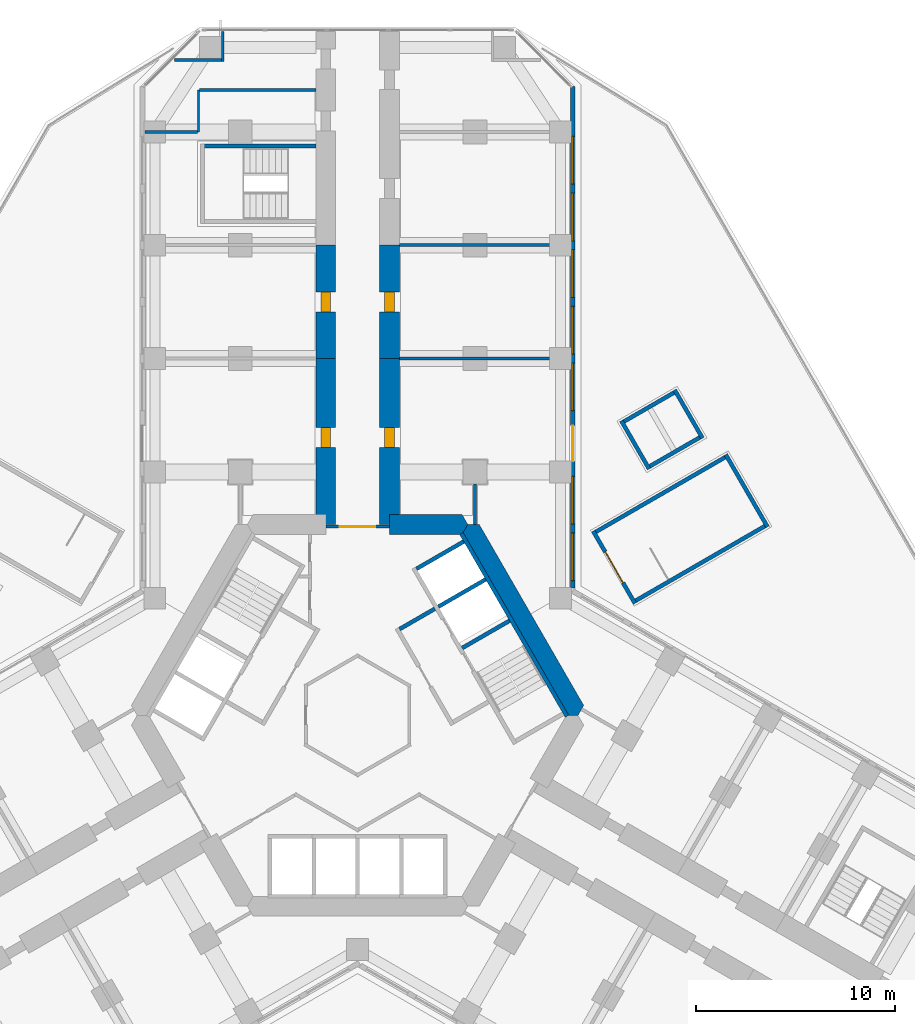
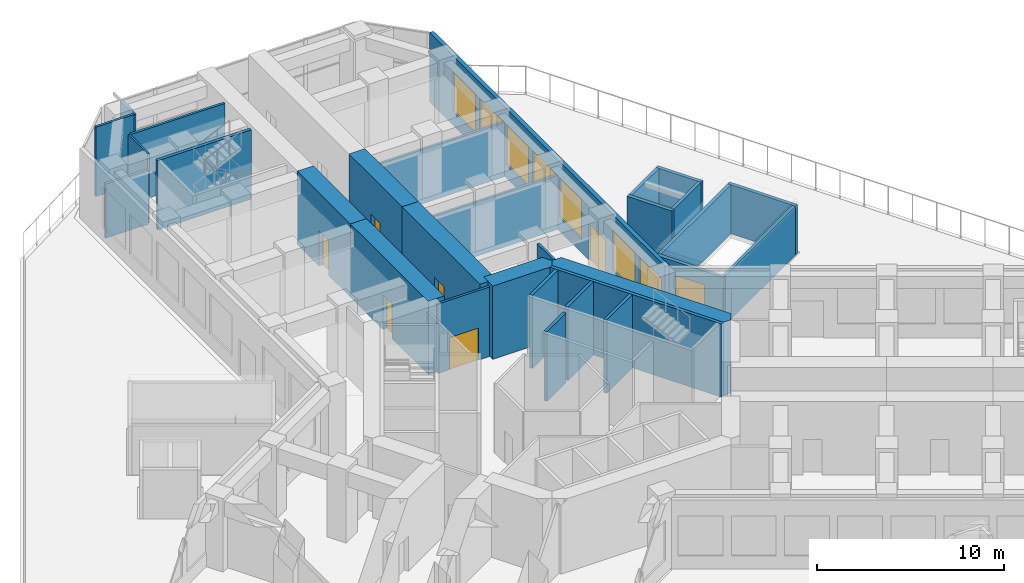
# One storey, part 14 of 18: 30 walls, 7 doors, 7 windows, 14 openings.
"""IFC4 building model written with IfcOpenShell, lengths in metres."""

from ifc_helpers import new_model, si_unit, direction, frame, frame_2d, origin, place, context, subcontext, project, spatial, polyline, rectangle, outline, extrude, material, layer, layer_set, type_object, element, fill, save


model = new_model("IFC4")

# Units and contexts
model_context = context("Model", 3, precision=1e-05, world=origin(), true_north=direction((0.0, 1.0)))
body_context = subcontext(model_context, "Body", "Model", "MODEL_VIEW")
ifc_project = project(units=[si_unit("LENGTHUNIT", "METRE"), si_unit("AREAUNIT", "SQUARE_METRE"), si_unit("VOLUMEUNIT", "CUBIC_METRE"), si_unit("PLANEANGLEUNIT", "RADIAN"), si_unit("MASSUNIT", "GRAM", prefix="KILO")], contexts=[model_context])

# Site, building, storey
site_placement = place(None, origin())
site = spatial("IfcSite", under=ifc_project, at=site_placement, CompositionType="ELEMENT")
building_placement = place(site_placement, origin())
building = spatial("IfcBuilding", under=site, at=building_placement, Name="Kosmar Iwan School Tower", CompositionType="ELEMENT")
storey_placement = place(building_placement, frame((0.0, 0.0, 20.39990234375)))
storey = spatial("IfcBuildingStorey", under=building, at=storey_placement, Name="L04", CompositionType="ELEMENT", Elevation=20.39990234375)

# Walls
ifc_material_1 = material(Name="Concrete C50/60", Category="concrete")
ifc_layer_1 = layer(ifc_material_1, 1.0)
ifc_layer_set_1 = layer_set([ifc_layer_1], Name="Core wall 1000")
wall_type_1 = type_object("IfcWallType", Name="Core wall 1000", PredefinedType="SHEAR", material=ifc_layer_set_1)
wall_1_placement = place(storey_placement, origin())
element("IfcWall", 1, at=wall_1_placement, inside=storey, type_object=wall_type_1, Name="Core wall F030", PredefinedType="SHEAR", context=body_context, shape_type="SweptSolid", body=[
    extrude(outline(polyline([(10.5078125, 0.0), (11.085205078125, 0.0), (11.373779296875, 0.5), (6.119873046875, 9.60009765625), (5.54248046875, 9.60009765625), (5.25390625, 9.10009765625), (10.5078125, 0.0)])), origin(), (0.0, 0.0, 1.0), 4.800048828125),
])
wall_2_placement = place(storey_placement, origin())
element("IfcWall", 2, at=wall_2_placement, inside=storey, type_object=wall_type_1, Name="Core wall F090a", PredefinedType="SHEAR", context=body_context, shape_type="SweptSolid", body=[
    extrude(outline(polyline([(1.60009765625, 9.10009765625), (5.25390625, 9.10009765625), (5.54248046875, 9.60009765625), (5.25390625, 10.10009765625), (1.60009765625, 10.10009765625), (1.60009765625, 9.10009765625)])), origin(), (0.0, 0.0, 1.0), 4.800048828125),
])

# Wall, opening, door
ifc_material_2 = material(Name="Concrete C50/60", Category="concrete")
ifc_layer_2 = layer(ifc_material_2, 1.0)
ifc_layer_set_2 = layer_set([ifc_layer_2], Name="Corridor buttress wall 1000")
wall_type_2 = type_object("IfcWallType", Name="Corridor buttress wall 1000", PredefinedType="SHEAR", material=ifc_layer_set_2)
wall_3_placement = place(storey_placement, frame((-1.60009765625, 9.60009765625, 0.0), z_axis=(0.0, 0.0, 1.0), x_axis=(0.0, 1.0, 0.0)))
wall_3 = element("IfcWall", 3, at=wall_3_placement, inside=storey, type_object=wall_type_2, Name="Corridor wall AL", PredefinedType="SHEAR", context=body_context, shape_type="SweptSolid", body=[
    extrude(rectangle(XDim=8.349853515625, YDim=1.0, at=frame_2d((4.1748046875, 0.0))), origin(), (0.0, 0.0, 1.0), 4.800048828125),
])
opening_1_placement = place(wall_3_placement, frame((3.875, 0.0, 0.0)))
opening_1 = element("IfcOpeningElement", 4, at=opening_1_placement, cuts=wall_3, Name="Opening D4", PredefinedType="OPENING", context=body_context, shape_type="SweptSolid", body=[
    extrude(rectangle(XDim=1.0, YDim=2.300048828125, at=frame_2d((0.5, 1.14990234375))), frame((0.0, 0.511962890625, 0.0), z_axis=(0.0, -1.0, 0.0), x_axis=(1.0, 0.0, 0.0)), (0.0, 0.0, 1.0), 1.02392578125),
])
ifc_material_3 = material(Name="Timber fire door with vision panel", Category="wood")
door_type_1 = type_object("IfcDoorType", Name="Classroom door 1000x2300", OperationType="SINGLE_SWING_LEFT", PredefinedType="DOOR", material=ifc_material_3)
door_1_placement = place(opening_1_placement, origin())
door_1 = element("IfcDoor", 5, at=door_1_placement, inside=storey, type_object=door_type_1, Name="Physics laboratory AL door L04-AL1", OperationType="SINGLE_SWING_RIGHT", OverallHeight=2.300048828125, OverallWidth=1.0, PredefinedType="DOOR", context=body_context, shape_type="SweptSolid", body=[
    extrude(rectangle(XDim=1.0, YDim=2.300048828125, at=frame_2d((0.5, 1.14990234375))), frame((0.0, 0.25, 0.0), z_axis=(0.0, -1.0, 0.0), x_axis=(1.0, 0.0, 0.0)), (0.0, 0.0, 1.0), 0.5),
])
fill(opening_1, door_1)

wall_4_placement = place(storey_placement, frame((-1.60009765625, 17.949951171875, 0.0), z_axis=(0.0, 0.0, 1.0), x_axis=(0.0, 1.0, 0.0)))
wall_4 = element("IfcWall", 6, at=wall_4_placement, inside=storey, type_object=wall_type_2, Name="Corridor wall AL bay 2", PredefinedType="SHEAR", context=body_context, shape_type="SweptSolid", body=[
    extrude(rectangle(XDim=5.699951171875, YDim=1.0, at=frame_2d((2.85009765625, 0.0))), origin(), (0.0, 0.0, 1.0), 4.800048828125),
])
opening_2_placement = place(wall_4_placement, frame((2.35009765625, 0.0, 0.0)))
opening_2 = element("IfcOpeningElement", 7, at=opening_2_placement, cuts=wall_4, Name="Opening D4", PredefinedType="OPENING", context=body_context, shape_type="SweptSolid", body=[
    extrude(rectangle(XDim=1.0, YDim=2.300048828125, at=frame_2d((0.5, 1.14990234375))), frame((0.0, 0.511962890625, 0.0), z_axis=(0.0, -1.0, 0.0), x_axis=(1.0, 0.0, 0.0)), (0.0, 0.0, 1.0), 1.02392578125),
])
door_2_placement = place(opening_2_placement, origin())
door_2 = element("IfcDoor", 8, at=door_2_placement, inside=storey, type_object=door_type_1, Name="Chemistry laboratory AL door L04-AL2", OperationType="SINGLE_SWING_LEFT", OverallHeight=2.300048828125, OverallWidth=1.0, PredefinedType="DOOR", context=body_context, shape_type="SweptSolid", body=[
    extrude(rectangle(XDim=1.0, YDim=2.300048828125, at=frame_2d((0.5, 1.14990234375))), frame((0.0, 0.25, 0.0), z_axis=(0.0, -1.0, 0.0), x_axis=(1.0, 0.0, 0.0)), (0.0, 0.0, 1.0), 0.5),
])
fill(opening_2, door_2)

wall_5_placement = place(storey_placement, frame((1.60009765625, 9.60009765625, 0.0), z_axis=(0.0, 0.0, 1.0), x_axis=(0.0, 1.0, 0.0)))
wall_5 = element("IfcWall", 9, at=wall_5_placement, inside=storey, type_object=wall_type_2, Name="Corridor wall AR", PredefinedType="SHEAR", context=body_context, shape_type="SweptSolid", body=[
    extrude(rectangle(XDim=8.349853515625, YDim=1.0, at=frame_2d((4.1748046875, 0.0))), origin(), (0.0, 0.0, 1.0), 4.800048828125),
])
opening_3_placement = place(wall_5_placement, frame((3.875, 0.0, 0.0)))
opening_3 = element("IfcOpeningElement", 10, at=opening_3_placement, cuts=wall_5, Name="Opening D4", PredefinedType="OPENING", context=body_context, shape_type="SweptSolid", body=[
    extrude(rectangle(XDim=1.0, YDim=2.300048828125, at=frame_2d((0.5, 1.14990234375))), frame((0.0, 0.511962890625, 0.0), z_axis=(0.0, -1.0, 0.0), x_axis=(1.0, 0.0, 0.0)), (0.0, 0.0, 1.0), 1.02392578125),
])
door_3_placement = place(opening_3_placement, origin())
door_3 = element("IfcDoor", 11, at=door_3_placement, inside=storey, type_object=door_type_1, Name="Physics laboratory AR door L04-AR1", OperationType="SINGLE_SWING_RIGHT", OverallHeight=2.300048828125, OverallWidth=1.0, PredefinedType="DOOR", context=body_context, shape_type="SweptSolid", body=[
    extrude(rectangle(XDim=1.0, YDim=2.300048828125, at=frame_2d((0.5, 1.14990234375))), frame((0.0, 0.25, 0.0), z_axis=(0.0, -1.0, 0.0), x_axis=(1.0, 0.0, 0.0)), (0.0, 0.0, 1.0), 0.5),
])
fill(opening_3, door_3)

wall_6_placement = place(storey_placement, frame((1.60009765625, 17.949951171875, 0.0), z_axis=(0.0, 0.0, 1.0), x_axis=(0.0, 1.0, 0.0)))
wall_6 = element("IfcWall", 12, at=wall_6_placement, inside=storey, type_object=wall_type_2, Name="Corridor wall AR bay 2", PredefinedType="SHEAR", context=body_context, shape_type="SweptSolid", body=[
    extrude(rectangle(XDim=5.699951171875, YDim=1.0, at=frame_2d((2.85009765625, 0.0))), origin(), (0.0, 0.0, 1.0), 4.800048828125),
])
opening_4_placement = place(wall_6_placement, frame((2.35009765625, 0.0, 0.0)))
opening_4 = element("IfcOpeningElement", 13, at=opening_4_placement, cuts=wall_6, Name="Opening D4", PredefinedType="OPENING", context=body_context, shape_type="SweptSolid", body=[
    extrude(rectangle(XDim=1.0, YDim=2.300048828125, at=frame_2d((0.5, 1.14990234375))), frame((0.0, 0.511962890625, 0.0), z_axis=(0.0, -1.0, 0.0), x_axis=(1.0, 0.0, 0.0)), (0.0, 0.0, 1.0), 1.02392578125),
])
door_4_placement = place(opening_4_placement, origin())
door_4 = element("IfcDoor", 14, at=door_4_placement, inside=storey, type_object=door_type_1, Name="Chemistry laboratory AR door L04-AR2", OperationType="SINGLE_SWING_RIGHT", OverallHeight=2.300048828125, OverallWidth=1.0, PredefinedType="DOOR", context=body_context, shape_type="SweptSolid", body=[
    extrude(rectangle(XDim=1.0, YDim=2.300048828125, at=frame_2d((0.5, 1.14990234375))), frame((0.0, 0.25, 0.0), z_axis=(0.0, -1.0, 0.0), x_axis=(1.0, 0.0, 0.0)), (0.0, 0.0, 1.0), 0.5),
])
fill(opening_4, door_4)

ifc_material_4 = material(Name="Steel framed glazed screen", Category="steel")
ifc_layer_3 = layer(ifc_material_4, 0.14990234375)
ifc_layer_set_3 = layer_set([ifc_layer_3], Name="Corridor screen wall 150")
wall_type_3 = type_object("IfcWallType", Name="Corridor screen wall 150", PredefinedType="PARTITIONING", material=ifc_layer_set_3)
wall_7_placement = place(storey_placement, frame((1.60009765625, 9.5, 0.0), z_axis=(0.0, 0.0, 1.0), x_axis=(-1.0, 0.0, 0.0)))
wall_7 = element("IfcWall", 15, at=wall_7_placement, inside=storey, type_object=wall_type_3, Name="Corridor screen A L04", PredefinedType="PARTITIONING", context=body_context, shape_type="SweptSolid", body=[
    extrude(rectangle(XDim=3.2001953125, YDim=0.14990234375, at=frame_2d((1.60009765625, 0.0))), origin(), (0.0, 0.0, 1.0), 4.550048828125),
])
opening_5_placement = place(wall_7_placement, frame((0.699951171875, 0.0, 0.0)))
opening_5 = element("IfcOpeningElement", 16, at=opening_5_placement, cuts=wall_7, Name="Opening D9", PredefinedType="OPENING", context=body_context, shape_type="SweptSolid", body=[
    extrude(rectangle(XDim=1.800048828125, YDim=2.10009765625, at=frame_2d((0.89990234375, 1.050048828125))), frame((0.0, 0.0869140625, 0.0), z_axis=(0.0, -1.0, 0.0), x_axis=(1.0, 0.0, 0.0)), (0.0, 0.0, 1.0), 0.173828125),
])
ifc_material_5 = material(Name="Steel framed glazed smoke door", Category="steel")
door_type_2 = type_object("IfcDoorType", Name="Corridor smoke door pair 1800x2100", OperationType="DOUBLE_DOOR_DOUBLE_SWING", PredefinedType="DOOR", material=ifc_material_5)
door_5_placement = place(opening_5_placement, origin())
door_5 = element("IfcDoor", 17, at=door_5_placement, inside=storey, type_object=door_type_2, Name="Corridor doors A L04", OperationType="DOUBLE_DOOR_DOUBLE_SWING", OverallHeight=2.10009765625, OverallWidth=1.800048828125, PredefinedType="DOOR", context=body_context, shape_type="SweptSolid", body=[
    extrude(rectangle(XDim=1.800048828125, YDim=2.10009765625, at=frame_2d((0.89990234375, 1.050048828125))), frame((0.0, 0.02490234375, 0.0), z_axis=(0.0, -1.0, 0.0), x_axis=(1.0, 0.0, 0.0)), (0.0, 0.0, 1.0), 0.050048828125),
])
fill(opening_5, door_5)

# Walls
ifc_material_6 = material(Name="Gypsum board on steel studs", Category="steel")
ifc_layer_4 = layer(ifc_material_6, 0.1201171875)
ifc_layer_set_4 = layer_set([ifc_layer_4], Name="Dwelling partition 120")
wall_type_4 = type_object("IfcWallType", Name="Dwelling partition 120", PredefinedType="PARTITIONING", material=ifc_layer_set_4)
wall_8_placement = place(storey_placement, frame((-6.7900390625, 32.89990234375, 0.0), z_axis=(0.0, 0.0, 1.0), x_axis=(0.0, 1.0, 0.0)))
element("IfcWall", 18, at=wall_8_placement, inside=storey, type_object=wall_type_4, Name="Partition L04-AL-DL", PredefinedType="PARTITIONING", context=body_context, shape_type="SweptSolid", body=[
    extrude(rectangle(XDim=1.4951171875, YDim=0.1201171875, at=frame_2d((0.74755859375, 0.0))), origin(), (0.0, 0.0, 1.0), 4.550048828125),
])
wall_9_placement = place(storey_placement, frame((-8.0, 29.35009765625, 0.0), z_axis=(0.0, 0.0, 1.0), x_axis=(0.0, 1.0, 0.0)))
element("IfcWall", 19, at=wall_9_placement, inside=storey, type_object=wall_type_4, Name="Partition L04-AL-X3L", PredefinedType="PARTITIONING", context=body_context, shape_type="SweptSolid", body=[
    extrude(rectangle(XDim=2.099853515625, YDim=0.1201171875, at=frame_2d((1.0498046875, 0.0))), origin(), (0.0, 0.0, 1.0), 4.550048828125),
])
ifc_material_7 = material(Name="Concrete C35/45", Category="concrete")
ifc_layer_5 = layer(ifc_material_7, 0.199951171875)
ifc_layer_set_5 = layer_set([ifc_layer_5], Name="Escape stair wall 200")
wall_type_5 = type_object("IfcWallType", Name="Escape stair wall 200", PredefinedType="SHEAR", material=ifc_layer_set_5)
wall_10_placement = place(storey_placement, frame((-2.10009765625, 28.64990234375, 0.0), z_axis=(0.0, 0.0, 1.0), x_axis=(-1.0, 0.0, 0.0)))
element("IfcWall", 20, at=wall_10_placement, inside=storey, type_object=wall_type_5, Name="Stair WS1 wall", PredefinedType="SHEAR", context=body_context, shape_type="SweptSolid", body=[
    extrude(rectangle(XDim=5.7998046875, YDim=0.199951171875, at=frame_2d((2.89990234375, 0.0))), origin(), (0.0, 0.0, 1.0), 4.530029296875),
])

# Wall, openings, door, windows
ifc_material_8 = material(Name="Black aluminium rainscreen on insulated framing", Category="aluminium")
ifc_layer_6 = layer(ifc_material_8, 0.25)
ifc_layer_set_6 = layer_set([ifc_layer_6], Name="External wall rainscreen 250")
wall_type_6 = type_object("IfcWallType", Name="External wall rainscreen 250", PredefinedType="SOLIDWALL", material=ifc_layer_set_6)
wall_11_placement = place(storey_placement, frame((10.824951171875, 6.408935546875, 0.0), z_axis=(0.0, 0.0, 1.0), x_axis=(0.0, 1.0, 0.0)))
wall_11 = element("IfcWall", 21, at=wall_11_placement, inside=storey, type_object=wall_type_6, Name="External wall AR L04", PredefinedType="SOLIDWALL", context=body_context, shape_type="SweptSolid", body=[
    extrude(rectangle(XDim=25.226318359375, YDim=0.25, at=frame_2d((12.61328125, 0.0))), origin(), (0.0, 0.0, 1.0), 4.550048828125),
])
opening_6_placement = place(wall_11_placement, frame((0.365966796875, 0.0, 0.89990234375)))
opening_6 = element("IfcOpeningElement", 22, at=opening_6_placement, cuts=wall_11, Name="Opening W2", PredefinedType="OPENING", context=body_context, shape_type="SweptSolid", body=[
    extrude(rectangle(XDim=2.39990234375, YDim=2.60009765625, at=frame_2d((1.199951171875, 1.300048828125))), frame((0.0, 0.136962890625, 0.0), z_axis=(0.0, -1.0, 0.0), x_axis=(1.0, 0.0, 0.0)), (0.0, 0.0, 1.0), 0.27392578125),
])
opening_7_placement = place(wall_11_placement, frame((3.216064453125, 0.0, 0.89990234375)))
opening_7 = element("IfcOpeningElement", 23, at=opening_7_placement, cuts=wall_11, Name="Opening W2", PredefinedType="OPENING", context=body_context, shape_type="SweptSolid", body=[
    extrude(rectangle(XDim=2.39990234375, YDim=2.60009765625, at=frame_2d((1.199951171875, 1.300048828125))), frame((0.0, 0.136962890625, 0.0), z_axis=(0.0, -1.0, 0.0), x_axis=(1.0, 0.0, 0.0)), (0.0, 0.0, 1.0), 0.27392578125),
])
opening_8_placement = place(wall_11_placement, frame((6.365966796875, 0.0, 0.0)))
opening_8 = element("IfcOpeningElement", 24, at=opening_8_placement, cuts=wall_11, Name="Opening D12", PredefinedType="OPENING", context=body_context, shape_type="SweptSolid", body=[
    extrude(rectangle(XDim=1.800048828125, YDim=2.39990234375, at=frame_2d((0.89990234375, 1.199951171875))), frame((0.0, 0.136962890625, 0.0), z_axis=(0.0, -1.0, 0.0), x_axis=(1.0, 0.0, 0.0)), (0.0, 0.0, 1.0), 0.27392578125),
])
opening_9_placement = place(wall_11_placement, frame((8.916015625, 0.0, 0.89990234375)))
opening_9 = element("IfcOpeningElement", 25, at=opening_9_placement, cuts=wall_11, Name="Opening W2", PredefinedType="OPENING", context=body_context, shape_type="SweptSolid", body=[
    extrude(rectangle(XDim=2.39990234375, YDim=2.60009765625, at=frame_2d((1.199951171875, 1.300048828125))), frame((0.0, 0.136962890625, 0.0), z_axis=(0.0, -1.0, 0.0), x_axis=(1.0, 0.0, 0.0)), (0.0, 0.0, 1.0), 0.27392578125),
])
opening_10_placement = place(wall_11_placement, frame((11.76611328125, 0.0, 0.89990234375)))
opening_10 = element("IfcOpeningElement", 26, at=opening_10_placement, cuts=wall_11, Name="Opening W2", PredefinedType="OPENING", context=body_context, shape_type="SweptSolid", body=[
    extrude(rectangle(XDim=2.39990234375, YDim=2.60009765625, at=frame_2d((1.199951171875, 1.300048828125))), frame((0.0, 0.136962890625, 0.0), z_axis=(0.0, -1.0, 0.0), x_axis=(1.0, 0.0, 0.0)), (0.0, 0.0, 1.0), 0.27392578125),
])
opening_11_placement = place(wall_11_placement, frame((14.615966796875, 0.0, 0.89990234375)))
opening_11 = element("IfcOpeningElement", 27, at=opening_11_placement, cuts=wall_11, Name="Opening W2", PredefinedType="OPENING", context=body_context, shape_type="SweptSolid", body=[
    extrude(rectangle(XDim=2.39990234375, YDim=2.60009765625, at=frame_2d((1.199951171875, 1.300048828125))), frame((0.0, 0.136962890625, 0.0), z_axis=(0.0, -1.0, 0.0), x_axis=(1.0, 0.0, 0.0)), (0.0, 0.0, 1.0), 0.27392578125),
])
opening_12_placement = place(wall_11_placement, frame((17.466064453125, 0.0, 0.89990234375)))
opening_12 = element("IfcOpeningElement", 28, at=opening_12_placement, cuts=wall_11, Name="Opening W2", PredefinedType="OPENING", context=body_context, shape_type="SweptSolid", body=[
    extrude(rectangle(XDim=2.39990234375, YDim=2.60009765625, at=frame_2d((1.199951171875, 1.300048828125))), frame((0.0, 0.136962890625, 0.0), z_axis=(0.0, -1.0, 0.0), x_axis=(1.0, 0.0, 0.0)), (0.0, 0.0, 1.0), 0.27392578125),
])
opening_13_placement = place(wall_11_placement, frame((20.31591796875, 0.0, 0.89990234375)))
opening_13 = element("IfcOpeningElement", 29, at=opening_13_placement, cuts=wall_11, Name="Opening W2", PredefinedType="OPENING", context=body_context, shape_type="SweptSolid", body=[
    extrude(rectangle(XDim=2.39990234375, YDim=2.60009765625, at=frame_2d((1.199951171875, 1.300048828125))), frame((0.0, 0.136962890625, 0.0), z_axis=(0.0, -1.0, 0.0), x_axis=(1.0, 0.0, 0.0)), (0.0, 0.0, 1.0), 0.27392578125),
])
ifc_material_9 = material(Name="Black steel framed glazed door", Category="steel")
door_type_3 = type_object("IfcDoorType", Name="Deck door pair 1800x2400", OperationType="DOUBLE_DOOR_SINGLE_SWING", PredefinedType="DOOR", material=ifc_material_9)
door_6_placement = place(opening_8_placement, frame((1.800048828125, 0.0, 0.0), z_axis=(0.0, 0.0, 1.0), x_axis=(-1.0, 0.0, 0.0)))
door_6 = element("IfcDoor", 30, at=door_6_placement, inside=storey, type_object=door_type_3, Name="Play deck door AR", OperationType="DOUBLE_DOOR_SINGLE_SWING", OverallHeight=2.39990234375, OverallWidth=1.800048828125, PredefinedType="DOOR", context=body_context, shape_type="SweptSolid", body=[
    extrude(rectangle(XDim=1.800048828125, YDim=2.39990234375, at=frame_2d((0.89990234375, 1.199951171875))), frame((0.0, 0.02490234375, 0.0), z_axis=(0.0, -1.0, 0.0), x_axis=(1.0, 0.0, 0.0)), (0.0, 0.0, 1.0), 0.050048828125),
])
fill(opening_8, door_6)
ifc_material_10 = material(Name="Black aluminium frame with dark triple glazing", Category="aluminium")
window_type = type_object("IfcWindowType", Name="Window 2400x2600", PartitioningType="SINGLE_PANEL", PredefinedType="WINDOW", material=ifc_material_10)
window_1_placement = place(opening_6_placement, origin())
window_1 = element("IfcWindow", 31, at=window_1_placement, inside=storey, type_object=window_type, Name="Window AR L04 -1", OverallHeight=2.60009765625, OverallWidth=2.39990234375, PartitioningType="SINGLE_PANEL", PredefinedType="WINDOW", context=body_context, shape_type="SweptSolid", body=[
    extrude(rectangle(XDim=2.39990234375, YDim=2.60009765625, at=frame_2d((1.199951171875, 1.300048828125))), frame((0.0, 0.030029296875, 0.0), z_axis=(0.0, -1.0, 0.0), x_axis=(1.0, 0.0, 0.0)), (0.0, 0.0, 1.0), 0.06005859375),
])
fill(opening_6, window_1)
window_2_placement = place(opening_7_placement, origin())
window_2 = element("IfcWindow", 32, at=window_2_placement, inside=storey, type_object=window_type, Name="Window AR L04 0", OverallHeight=2.60009765625, OverallWidth=2.39990234375, PartitioningType="SINGLE_PANEL", PredefinedType="WINDOW", context=body_context, shape_type="SweptSolid", body=[
    extrude(rectangle(XDim=2.39990234375, YDim=2.60009765625, at=frame_2d((1.199951171875, 1.300048828125))), frame((0.0, 0.030029296875, 0.0), z_axis=(0.0, -1.0, 0.0), x_axis=(1.0, 0.0, 0.0)), (0.0, 0.0, 1.0), 0.06005859375),
])
fill(opening_7, window_2)
window_3_placement = place(opening_9_placement, origin())
window_3 = element("IfcWindow", 33, at=window_3_placement, inside=storey, type_object=window_type, Name="Window AR L04 2", OverallHeight=2.60009765625, OverallWidth=2.39990234375, PartitioningType="SINGLE_PANEL", PredefinedType="WINDOW", context=body_context, shape_type="SweptSolid", body=[
    extrude(rectangle(XDim=2.39990234375, YDim=2.60009765625, at=frame_2d((1.199951171875, 1.300048828125))), frame((0.0, 0.030029296875, 0.0), z_axis=(0.0, -1.0, 0.0), x_axis=(1.0, 0.0, 0.0)), (0.0, 0.0, 1.0), 0.06005859375),
])
fill(opening_9, window_3)
window_4_placement = place(opening_10_placement, origin())
window_4 = element("IfcWindow", 34, at=window_4_placement, inside=storey, type_object=window_type, Name="Window AR L04 3", OverallHeight=2.60009765625, OverallWidth=2.39990234375, PartitioningType="SINGLE_PANEL", PredefinedType="WINDOW", context=body_context, shape_type="SweptSolid", body=[
    extrude(rectangle(XDim=2.39990234375, YDim=2.60009765625, at=frame_2d((1.199951171875, 1.300048828125))), frame((0.0, 0.030029296875, 0.0), z_axis=(0.0, -1.0, 0.0), x_axis=(1.0, 0.0, 0.0)), (0.0, 0.0, 1.0), 0.06005859375),
])
fill(opening_10, window_4)
window_5_placement = place(opening_11_placement, origin())
window_5 = element("IfcWindow", 35, at=window_5_placement, inside=storey, type_object=window_type, Name="Window AR L04 4", OverallHeight=2.60009765625, OverallWidth=2.39990234375, PartitioningType="SINGLE_PANEL", PredefinedType="WINDOW", context=body_context, shape_type="SweptSolid", body=[
    extrude(rectangle(XDim=2.39990234375, YDim=2.60009765625, at=frame_2d((1.199951171875, 1.300048828125))), frame((0.0, 0.030029296875, 0.0), z_axis=(0.0, -1.0, 0.0), x_axis=(1.0, 0.0, 0.0)), (0.0, 0.0, 1.0), 0.06005859375),
])
fill(opening_11, window_5)
window_6_placement = place(opening_12_placement, origin())
window_6 = element("IfcWindow", 36, at=window_6_placement, inside=storey, type_object=window_type, Name="Window AR L04 5", OverallHeight=2.60009765625, OverallWidth=2.39990234375, PartitioningType="SINGLE_PANEL", PredefinedType="WINDOW", context=body_context, shape_type="SweptSolid", body=[
    extrude(rectangle(XDim=2.39990234375, YDim=2.60009765625, at=frame_2d((1.199951171875, 1.300048828125))), frame((0.0, 0.030029296875, 0.0), z_axis=(0.0, -1.0, 0.0), x_axis=(1.0, 0.0, 0.0)), (0.0, 0.0, 1.0), 0.06005859375),
])
fill(opening_12, window_6)
window_7_placement = place(opening_13_placement, origin())
window_7 = element("IfcWindow", 37, at=window_7_placement, inside=storey, type_object=window_type, Name="Window AR L04 6", OverallHeight=2.60009765625, OverallWidth=2.39990234375, PartitioningType="SINGLE_PANEL", PredefinedType="WINDOW", context=body_context, shape_type="SweptSolid", body=[
    extrude(rectangle(XDim=2.39990234375, YDim=2.60009765625, at=frame_2d((1.199951171875, 1.300048828125))), frame((0.0, 0.030029296875, 0.0), z_axis=(0.0, -1.0, 0.0), x_axis=(1.0, 0.0, 0.0)), (0.0, 0.0, 1.0), 0.06005859375),
])
fill(opening_13, window_7)

# Walls
ifc_material_11 = material(Name="Concrete block masonry", Category="masonry")
ifc_layer_7 = layer(ifc_material_11, 0.199951171875)
ifc_layer_set_7 = layer_set([ifc_layer_7], Name="Fire lobby wall 200")
wall_type_7 = type_object("IfcWallType", Name="Fire lobby wall 200", PredefinedType="PARTITIONING", material=ifc_layer_set_7)
wall_12_placement = place(storey_placement, frame((2.114013671875, 4.33837890625, 0.0), z_axis=(0.0, 0.0, 1.0), x_axis=(0.866050731258, 0.499956128963, 0.0)))
element("IfcWall", 38, at=wall_12_placement, inside=storey, type_object=wall_type_7, Name="Firefighting lobby wall ST1", PredefinedType="PARTITIONING", context=body_context, shape_type="SweptSolid", body=[
    extrude(rectangle(XDim=2.050048828125, YDim=0.199951171875, at=frame_2d((1.02490234375, 0.0))), origin(), (0.0, 0.0, 1.0), 4.550048828125),
])
ifc_material_12 = material(Name="Concrete C50/60", Category="concrete")
ifc_layer_8 = layer(ifc_material_12, 0.199951171875)
ifc_layer_set_8 = layer_set([ifc_layer_8], Name="Lift shaft wall 200")
wall_type_8 = type_object("IfcWallType", Name="Lift shaft wall 200", PredefinedType="SHEAR", material=ifc_layer_set_8)
wall_13_placement = place(storey_placement, frame((10.53662109375, -0.050048828125, 0.0), z_axis=(0.0, 0.0, 1.0), x_axis=(-0.499994998079, 0.866028291626, 0.0)))
element("IfcWall", 39, at=wall_13_placement, inside=storey, type_object=wall_type_8, Name="Lift and stair back wall AC", PredefinedType="SHEAR", context=body_context, shape_type="SweptSolid", body=[
    extrude(rectangle(XDim=10.623046875, YDim=0.199951171875, at=frame_2d((5.3115234375, 0.0))), origin(), (0.0, 0.0, 1.0), 4.800048828125),
])
for number, where, z_axis, x_axis, name in (
    (40, (4.062744140625, 5.46337890625, 0.0), (0.0, 0.0, 1.0), (0.866027397988, 0.499996545922, 0.0), "Lift shaft wall AC 1"),
    (41, (2.962646484375, 7.368408203125, 0.0), (0.0, 0.0, 1.0), (0.866027397988, 0.499996545922, 0.0), "Lift shaft wall AC 2"),
):
    element("IfcWall", number, at=place(storey_placement, frame(where, z_axis=z_axis, x_axis=x_axis)), inside=storey, type_object=wall_type_8, Name=name, PredefinedType="SHEAR", context=body_context, shape_type="SweptSolid", body=[
        extrude(rectangle(XDim=2.75, YDim=0.199951171875, at=frame_2d((1.375, 0.0))), origin(), (0.0, 0.0, 1.0), 4.800048828125),
    ])
wall_14_placement = place(storey_placement, frame((14.66796875, 12.39453125, 0.0), z_axis=(0.0, 0.0, 1.0), x_axis=(-0.500049511043, 0.865996816683, 0.0)))
element("IfcWall", 42, at=wall_14_placement, inside=storey, type_object=wall_type_8, Name="School lift SL1 shaft wall", PredefinedType="SHEAR", context=body_context, shape_type="SweptSolid", body=[
    extrude(rectangle(XDim=2.800048828125, YDim=0.199951171875, at=frame_2d((1.39990234375, 0.0))), origin(), (0.0, 0.0, 1.0), 3.2001953125),
])
wall_15_placement = place(storey_placement, frame((17.3525390625, 13.944580078125, 0.0), z_axis=(0.0, 0.0, 1.0), x_axis=(-0.49998411664, 0.866034573852, 0.0)))
element("IfcWall", 43, at=wall_15_placement, inside=storey, type_object=wall_type_8, Name="School lift SL1 shaft wall", PredefinedType="SHEAR", context=body_context, shape_type="SweptSolid", body=[
    extrude(rectangle(XDim=2.7998046875, YDim=0.199951171875, at=frame_2d((1.39990234375, 0.0))), origin(), (0.0, 0.0, 1.0), 3.2001953125),
])
wall_16_placement = place(storey_placement, frame((13.404541015625, 14.78271484375, 0.0), z_axis=(0.0, 0.0, 1.0), x_axis=(0.866032775405, 0.499987231761, 0.0)))
element("IfcWall", 44, at=wall_16_placement, inside=storey, type_object=wall_type_8, Name="School lift SL1 shaft wall", PredefinedType="SHEAR", context=body_context, shape_type="SweptSolid", body=[
    extrude(rectangle(XDim=2.89990234375, YDim=0.199951171875, at=frame_2d((1.449951171875, 0.0))), origin(), (0.0, 0.0, 1.0), 3.2001953125),
])
wall_17_placement = place(storey_placement, frame((14.70458984375, 12.531005859375, 0.0), z_axis=(0.0, 0.0, 1.0), x_axis=(0.865996321171, 0.50005036918, 0.0)))
element("IfcWall", 45, at=wall_17_placement, inside=storey, type_object=wall_type_8, Name="School lift SL1 shaft wall", PredefinedType="SHEAR", context=body_context, shape_type="SweptSolid", body=[
    extrude(rectangle(XDim=2.900146484375, YDim=0.199951171875, at=frame_2d((1.4501953125, 0.0))), origin(), (0.0, 0.0, 1.0), 3.2001953125),
])
ifc_material_13 = material(Name="Gypsum board on steel studs", Category="steel")
ifc_layer_9 = layer(ifc_material_13, 0.14990234375)
ifc_layer_set_9 = layer_set([ifc_layer_9], Name="School partition 150")
wall_type_9 = type_object("IfcWallType", Name="School partition 150", PredefinedType="PARTITIONING", material=ifc_layer_set_9)
wall_18_placement = place(storey_placement, frame((-6.72998046875, 32.97509765625, 0.0), z_axis=(0.0, 0.0, 1.0), x_axis=(-1.0, 0.0, 0.0)))
element("IfcWall", 46, at=wall_18_placement, inside=storey, type_object=wall_type_9, Name="Partition L04-AL-DC", PredefinedType="PARTITIONING", context=body_context, shape_type="SweptSolid", body=[
    extrude(rectangle(XDim=2.480224609375, YDim=0.14990234375, at=frame_2d((1.240234375, 0.0))), origin(), (0.0, 0.0, 1.0), 4.550048828125),
])
wall_19_placement = place(storey_placement, frame((-8.06005859375, 29.35009765625, 0.0), z_axis=(0.0, 0.0, 1.0), x_axis=(-1.0, 0.0, 0.0)))
element("IfcWall", 47, at=wall_19_placement, inside=storey, type_object=wall_type_9, Name="Partition L04-AL-X3", PredefinedType="PARTITIONING", context=body_context, shape_type="SweptSolid", body=[
    extrude(rectangle(XDim=2.639892578125, YDim=0.14990234375, at=frame_2d((1.31982421875, 0.0))), origin(), (0.0, 0.0, 1.0), 3.550048828125),
])
wall_20_placement = place(storey_placement, frame((-2.10009765625, 31.449951171875, 0.0), z_axis=(0.0, 0.0, 1.0), x_axis=(-1.0, 0.0, 0.0)))
element("IfcWall", 48, at=wall_20_placement, inside=storey, type_object=wall_type_9, Name="Partition L04-AL-X3T", PredefinedType="PARTITIONING", context=body_context, shape_type="SweptSolid", body=[
    extrude(rectangle(XDim=5.83984375, YDim=0.14990234375, at=frame_2d((2.919921875, 0.0))), origin(), (0.0, 0.0, 1.0), 4.550048828125),
])
wall_21_placement = place(storey_placement, frame((5.89990234375, 9.60009765625, 0.0), z_axis=(0.0, 0.0, 1.0), x_axis=(0.0, 1.0, 0.0)))
element("IfcWall", 49, at=wall_21_placement, inside=storey, type_object=wall_type_9, Name="Partition L04-AR-NB", PredefinedType="PARTITIONING", context=body_context, shape_type="SweptSolid", body=[
    extrude(rectangle(XDim=2.0498046875, YDim=0.14990234375, at=frame_2d((1.02490234375, 0.0))), origin(), (0.0, 0.0, 1.0), 4.550048828125),
])
for number, where, z_axis, x_axis, name in (
    (50, (2.10009765625, 17.949951171875, 0.0), (0.0, 0.0, 1.0), (1.0, 0.0, 0.0), "Partition L04-AR-X1"),
    (51, (2.10009765625, 23.64990234375, 0.0), (0.0, 0.0, 1.0), (1.0, 0.0, 0.0), "Partition L04-AR-X2"),
):
    element("IfcWall", number, at=place(storey_placement, frame(where, z_axis=z_axis, x_axis=x_axis)), inside=storey, type_object=wall_type_9, Name=name, PredefinedType="PARTITIONING", context=body_context, shape_type="SweptSolid", body=[
        extrude(rectangle(XDim=8.599853515625, YDim=0.14990234375, at=frame_2d((4.2998046875, 0.0))), origin(), (0.0, 0.0, 1.0), 3.550048828125),
    ])
ifc_material_14 = material(Name="Concrete C50/60", Category="concrete")
ifc_layer_10 = layer(ifc_material_14, 0.199951171875)
ifc_layer_set_10 = layer_set([ifc_layer_10], Name="Stair enclosure wall 200")
wall_type_10 = type_object("IfcWallType", Name="Stair enclosure wall 200", PredefinedType="SHEAR", material=ifc_layer_set_10)
wall_22_placement = place(storey_placement, frame((5.2626953125, 3.384765625, 0.0), z_axis=(0.0, 0.0, 1.0), x_axis=(0.866027397988, 0.499996545922, 0.0)))
element("IfcWall", 52, at=wall_22_placement, inside=storey, type_object=wall_type_10, Name="Stair ST1 wall", PredefinedType="SHEAR", context=body_context, shape_type="SweptSolid", body=[
    extrude(rectangle(XDim=2.75, YDim=0.199951171875, at=frame_2d((1.375, 0.0))), origin(), (0.0, 0.0, 1.0), 4.800048828125),
])
for number, where, z_axis, x_axis, name in (
    (53, (13.990478515625, 5.767822265625, 0.0), (0.0, 0.0, 1.0), (0.866008863278, 0.500028647903, 0.0), "School stair SS3 wall"),
    (54, (11.990478515625, 9.23193359375, 0.0), (0.0, 0.0, 1.0), (0.866008863278, 0.500028647903, 0.0), "School stair SS3 wall"),
):
    element("IfcWall", number, at=place(storey_placement, frame(where, z_axis=z_axis, x_axis=x_axis)), inside=storey, type_object=wall_type_10, Name=name, PredefinedType="SHEAR", context=body_context, shape_type="SweptSolid", body=[
        extrude(rectangle(XDim=7.5, YDim=0.199951171875, at=frame_2d((3.75, 0.0))), origin(), (0.0, 0.0, 1.0), 3.2001953125),
    ])
wall_23_placement = place(storey_placement, frame((20.6220703125, 9.4814453125, 0.0), z_axis=(0.0, 0.0, 1.0), x_axis=(-0.49998411664, 0.866034573852, 0.0)))
element("IfcWall", 55, at=wall_23_placement, inside=storey, type_object=wall_type_10, Name="School stair SS3 wall", PredefinedType="SHEAR", context=body_context, shape_type="SweptSolid", body=[
    extrude(rectangle(XDim=4.199951171875, YDim=0.199951171875, at=frame_2d((2.10009765625, 0.0))), origin(), (0.0, 0.0, 1.0), 3.2001953125),
])

# Wall, opening, door
wall_24_placement = place(storey_placement, frame((13.953857421875, 5.63134765625, 0.0), z_axis=(0.0, 0.0, 1.0), x_axis=(-0.500027713859, 0.866009402589, 0.0)))
wall_24 = element("IfcWall", 56, at=wall_24_placement, inside=storey, type_object=wall_type_10, Name="School stair SS3 wall", PredefinedType="SHEAR", context=body_context, shape_type="SweptSolid", body=[
    extrude(rectangle(XDim=4.199951171875, YDim=0.199951171875, at=frame_2d((2.10009765625, 0.0))), origin(), (0.0, 0.0, 1.0), 3.2001953125),
])
opening_14_placement = place(wall_24_placement, frame((1.199951171875, 0.0, 0.0)))
opening_14 = element("IfcOpeningElement", 57, at=opening_14_placement, cuts=wall_24, Name="Opening D8", PredefinedType="OPENING", context=body_context, shape_type="SweptSolid", body=[
    extrude(rectangle(XDim=1.800048828125, YDim=2.300048828125, at=frame_2d((0.89990234375, 1.14990234375))), frame((0.0, 0.112060546875, 0.0), z_axis=(0.0, -1.0, 0.0), x_axis=(1.0, 0.0, 0.0)), (0.0, 0.0, 1.0), 0.223876953125),
])
ifc_material_15 = material(Name="Steel fire door", Category="steel")
door_type_4 = type_object("IfcDoorType", Name="School stair door pair 1800x2300", OperationType="DOUBLE_DOOR_SINGLE_SWING", PredefinedType="DOOR", material=ifc_material_15)
door_7_placement = place(opening_14_placement, origin())
door_7 = element("IfcDoor", 58, at=door_7_placement, inside=storey, type_object=door_type_4, Name="School stair SS3 door L04", OperationType="DOUBLE_DOOR_SINGLE_SWING", OverallHeight=2.300048828125, OverallWidth=1.800048828125, PredefinedType="DOOR", context=body_context, shape_type="SweptSolid", body=[
    extrude(rectangle(XDim=1.800048828125, YDim=2.300048828125, at=frame_2d((0.89990234375, 1.14990234375))), frame((0.0, 0.02490234375, 0.0), z_axis=(0.0, -1.0, 0.0), x_axis=(1.0, 0.0, 0.0)), (0.0, 0.0, 1.0), 0.050048828125),
])
fill(opening_14, door_7)

save(model, "model.ifc")
